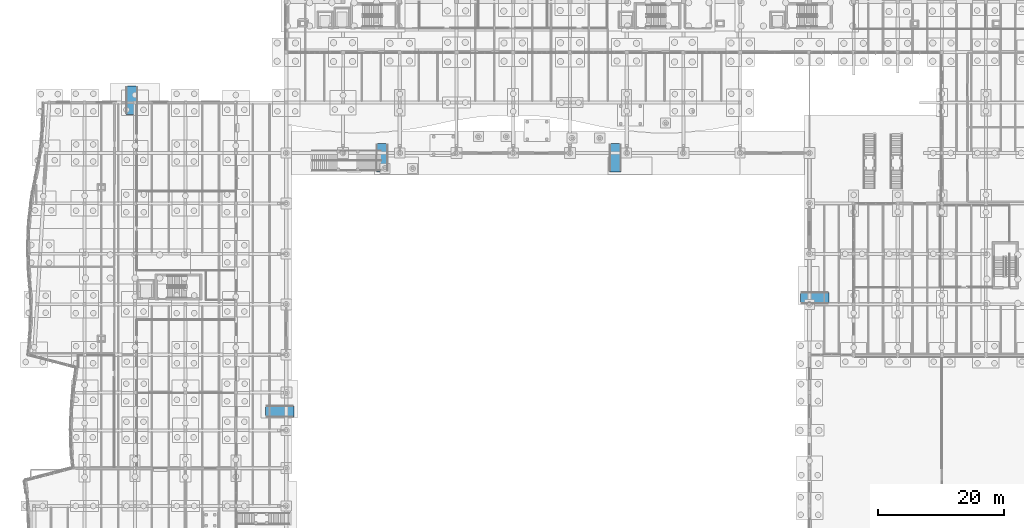
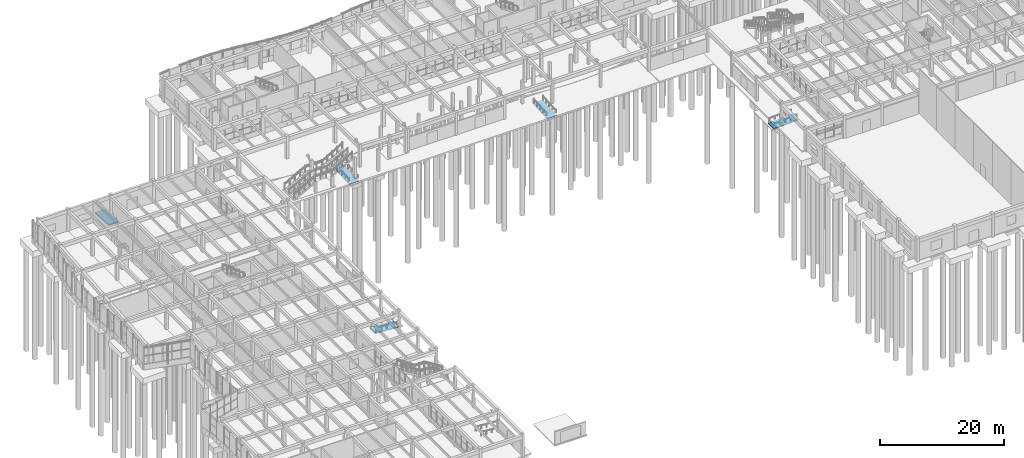
# One storey, part 73 of 99: 5 ramp flights, 5 elements without a shape of their own.
"""IFC4 building model written with IfcOpenShell, lengths in metres."""

from ifc_helpers import new_model, si_unit, direction, frame, origin, place, context, subcontext, project, spatial, polyline, outline, extrude, material, layer, layer_set, type_object, element, aggregate, save


model = new_model("IFC4")

# Units and contexts
model_context = context("Model", 3, precision=1e-05, world=origin(), true_north=direction((0.0, 1.0)))
body_context = subcontext(model_context, "Body", "Model", "MODEL_VIEW")
ifc_project = project(units=[si_unit("LENGTHUNIT", "METRE"), si_unit("AREAUNIT", "SQUARE_METRE"), si_unit("VOLUMEUNIT", "CUBIC_METRE"), si_unit("PLANEANGLEUNIT", "RADIAN"), si_unit("MASSUNIT", "GRAM", prefix="KILO")], contexts=[model_context])

# Site, building, storey
site_placement = place(None, origin())
site = spatial("IfcSite", under=ifc_project, at=site_placement, CompositionType="ELEMENT")
building_placement = place(site_placement, origin())
building = spatial("IfcBuilding", under=site, at=building_placement, Name="Tonlespit Floodbar School", CompositionType="ELEMENT")
storey_placement = place(building_placement, origin())
storey = spatial("IfcBuildingStorey", under=building, at=storey_placement, Name="L00", CompositionType="ELEMENT", Elevation=0.0)

# Ramp, ramp flight
ifc_material = material(Name="Concrete C40/50", Category="concrete")
ramp_type = type_object("IfcRampType", Name="Ramp_Accessible_1to15", PredefinedType="USERDEFINED", material=ifc_material)
ramp_1_placement = place(storey_placement, origin())
ramp_1 = element("IfcRamp", 1, at=ramp_1_placement, inside=storey, type_object=ramp_type, Name="Accessible 1:15 entrance ramp RMP-W2", ObjectType="ACCESSIBLE RAMP", PredefinedType="USERDEFINED")
ifc_layer = layer(ifc_material, 0.199951171875)
ifc_layer_set = layer_set([ifc_layer], Name="Concrete C40/50")
ramp_flight_type = type_object("IfcRampFlightType", Name="RampFlight_RC_200", PredefinedType="STRAIGHT", material=ifc_layer_set)
ramp_flight_1_placement = place(storey_placement, frame((45.199951171875, 47.0, -0.300048828125), z_axis=(0.0, 0.0, 1.0), x_axis=(-1.0, 0.0, 0.0)))
ramp_flight_1 = element("IfcRampFlight", 2, at=ramp_flight_1_placement, type_object=ramp_flight_type, Name="Accessible ramp flight RMP-W2", PredefinedType="STRAIGHT", context=body_context, shape_type="SweptSolid", body=[
    extrude(outline(polyline([(0.0, 0.0), (0.0, -0.199951171875), (4.5, 0.10009765625), (4.5, 0.300048828125), (0.0, 0.0)])), frame((0.0, 0.89990234375, 0.0), z_axis=(0.0, -1.0, 0.0), x_axis=(1.0, 0.0, 0.0)), (0.0, 0.0, 1.0), 1.800048828125),
])
aggregate(ramp_1, [ramp_flight_1])

ramp_2_placement = place(storey_placement, origin())
ramp_2 = element("IfcRamp", 3, at=ramp_2_placement, inside=storey, type_object=ramp_type, Name="Accessible 1:15 entrance ramp RMP-N1", ObjectType="ACCESSIBLE RAMP", PredefinedType="USERDEFINED")
ramp_flight_2_placement = place(storey_placement, frame((59.199951171875, 85.0, -0.300048828125), z_axis=(0.0, 0.0, 1.0), x_axis=(0.0, 1.0, 0.0)))
ramp_flight_2 = element("IfcRampFlight", 4, at=ramp_flight_2_placement, type_object=ramp_flight_type, Name="Accessible ramp flight RMP-N1", PredefinedType="STRAIGHT", context=body_context, shape_type="SweptSolid", body=[
    extrude(outline(polyline([(0.0, 0.0), (0.0, -0.199951171875), (4.5, 0.10009765625), (4.5, 0.300048828125), (0.0, 0.0)])), frame((0.0, 0.89990234375, 0.0), z_axis=(0.0, -1.0, 0.0), x_axis=(1.0, 0.0, 0.0)), (0.0, 0.0, 1.0), 1.800048828125),
])
aggregate(ramp_2, [ramp_flight_2])

ramp_3_placement = place(storey_placement, origin())
ramp_3 = element("IfcRamp", 5, at=ramp_3_placement, inside=storey, type_object=ramp_type, Name="Accessible 1:15 entrance ramp RMP-N2", ObjectType="ACCESSIBLE RAMP", PredefinedType="USERDEFINED")
ramp_flight_3_placement = place(storey_placement, frame((96.199951171875, 85.0, -0.300048828125), z_axis=(0.0, 0.0, 1.0), x_axis=(0.0, 1.0, 0.0)))
ramp_flight_3 = element("IfcRampFlight", 6, at=ramp_flight_3_placement, type_object=ramp_flight_type, Name="Accessible ramp flight RMP-N2", PredefinedType="STRAIGHT", context=body_context, shape_type="SweptSolid", body=[
    extrude(outline(polyline([(0.0, 0.0), (0.0, -0.199951171875), (4.5, 0.10009765625), (4.5, 0.300048828125), (0.0, 0.0)])), frame((0.0, 0.89990234375, 0.0), z_axis=(0.0, -1.0, 0.0), x_axis=(1.0, 0.0, 0.0)), (0.0, 0.0, 1.0), 1.800048828125),
])
aggregate(ramp_3, [ramp_flight_3])

ramp_4_placement = place(storey_placement, origin())
ramp_4 = element("IfcRamp", 7, at=ramp_4_placement, inside=storey, type_object=ramp_type, Name="Accessible 1:15 entrance ramp RMP-E1", ObjectType="ACCESSIBLE RAMP", PredefinedType="USERDEFINED")
ramp_flight_4_placement = place(storey_placement, frame((125.60009765625, 65.0, -0.300048828125), z_axis=(0.0, 0.0, 1.0), x_axis=(1.0, 0.0, 0.0)))
ramp_flight_4 = element("IfcRampFlight", 8, at=ramp_flight_4_placement, type_object=ramp_flight_type, Name="Accessible ramp flight RMP-E1", PredefinedType="STRAIGHT", context=body_context, shape_type="SweptSolid", body=[
    extrude(outline(polyline([(0.0, 0.0), (0.0, -0.199951171875), (4.5, 0.10009765625), (4.5, 0.300048828125), (0.0, 0.0)])), frame((0.0, 0.89990234375, 0.0), z_axis=(0.0, -1.0, 0.0), x_axis=(1.0, 0.0, 0.0)), (0.0, 0.0, 1.0), 1.800048828125),
])
aggregate(ramp_4, [ramp_flight_4])

ramp_5_placement = place(storey_placement, origin())
ramp_5 = element("IfcRamp", 9, at=ramp_5_placement, inside=storey, type_object=ramp_type, Name="Accessible 1:15 entrance ramp RMP-NW", ObjectType="ACCESSIBLE RAMP", PredefinedType="USERDEFINED")
ramp_flight_5_placement = place(storey_placement, frame((19.5, 98.60009765625, -0.300048828125), z_axis=(0.0, 0.0, 1.0), x_axis=(0.0, -1.0, 0.0)))
ramp_flight_5 = element("IfcRampFlight", 10, at=ramp_flight_5_placement, type_object=ramp_flight_type, Name="Accessible ramp flight RMP-NW", PredefinedType="STRAIGHT", context=body_context, shape_type="SweptSolid", body=[
    extrude(outline(polyline([(0.0, 0.0), (0.0, -0.199951171875), (4.5, 0.10009765625), (4.5, 0.300048828125), (0.0, 0.0)])), frame((0.0, 0.89990234375, 0.0), z_axis=(0.0, -1.0, 0.0), x_axis=(1.0, 0.0, 0.0)), (0.0, 0.0, 1.0), 1.800048828125),
])
aggregate(ramp_5, [ramp_flight_5])

save(model, "model.ifc")
